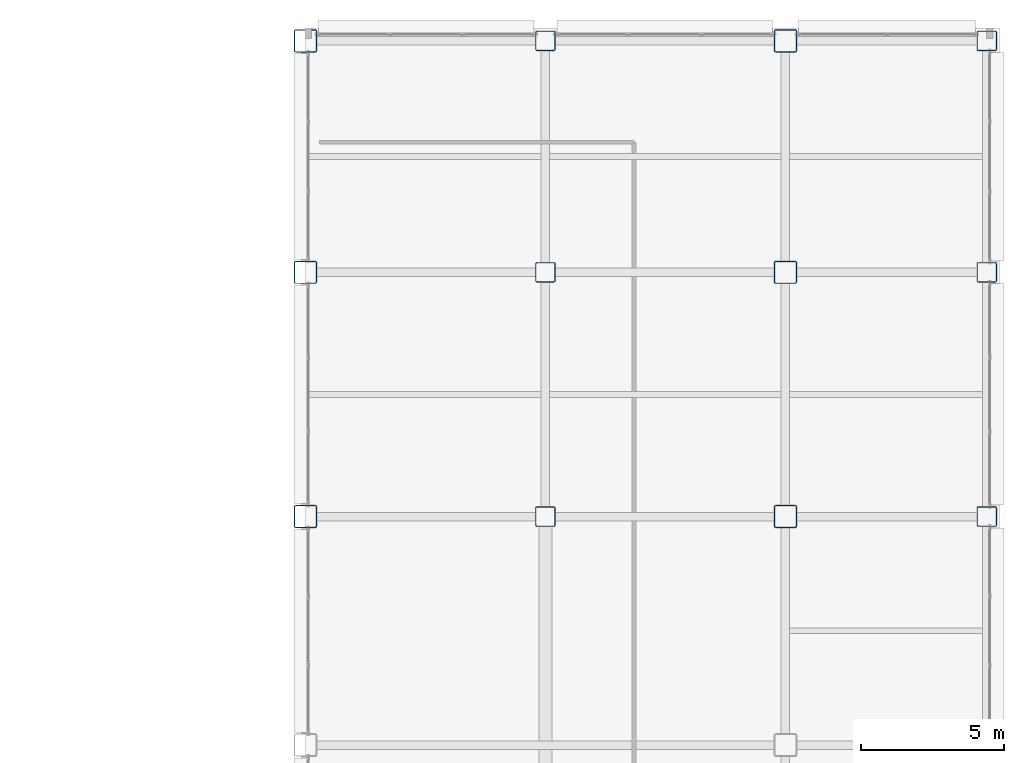
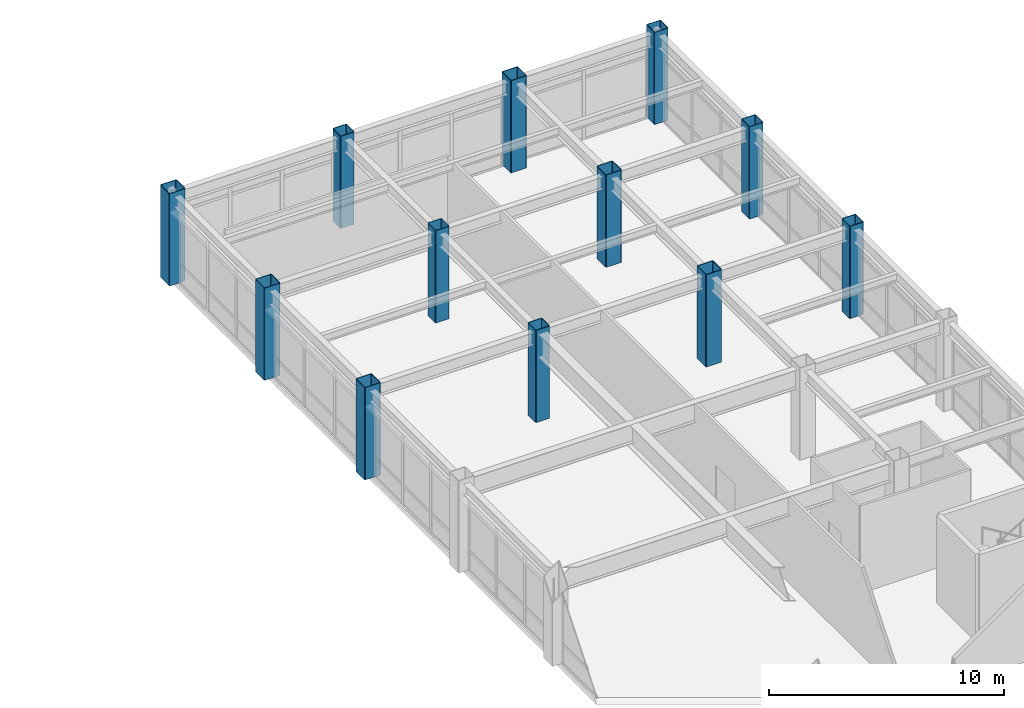
# One storey, part 13 of 154: 12 columns.
"""IFC4 building model written with IfcOpenShell, lengths in metres."""

from ifc_helpers import new_model, si_unit, direction, frame, origin, origin_2d, place, context, subcontext, project, spatial, hollow_rectangle, extrude, material, material_profile, profile_set, type_object, element, save


model = new_model("IFC4")

# Units and contexts
model_context = context("Model", 3, precision=1e-05, world=origin(), true_north=direction((0.0, 1.0)))
body_context = subcontext(model_context, "Body", "Model", "MODEL_VIEW")
ifc_project = project(units=[si_unit("LENGTHUNIT", "METRE"), si_unit("AREAUNIT", "SQUARE_METRE"), si_unit("VOLUMEUNIT", "CUBIC_METRE"), si_unit("PLANEANGLEUNIT", "RADIAN"), si_unit("MASSUNIT", "GRAM", prefix="KILO")], contexts=[model_context])

# Site, building, storey
site_placement = place(None, origin())
site = spatial("IfcSite", under=ifc_project, at=site_placement, CompositionType="ELEMENT")
building_placement = place(site_placement, origin())
building = spatial("IfcBuilding", under=site, at=building_placement, Name="Kazehara Bluff Congress Hotel", CompositionType="ELEMENT")
storey_placement = place(building_placement, frame((0.0, 0.0, 10.199951171875)))
storey = spatial("IfcBuildingStorey", under=building, at=storey_placement, Name="L02", CompositionType="ELEMENT", Elevation=10.199951171875)

# Columns
ifc_material_1 = material(Name="Steel BCR295", Category="steel")
ifc_material_profile_1 = material_profile(ifc_material_1, hollow_rectangle(XDim=0.800048828125, YDim=0.800048828125, WallThickness=0.031982421875, InnerFilletRadius=0.031982421875, OuterFilletRadius=0.06396484375, at=origin_2d()))
ifc_profile_set_1 = profile_set([ifc_material_profile_1], Name="Steel BCR295")
column_type_1 = type_object("IfcColumnType", Name="TP-C-02", PredefinedType="COLUMN", material=ifc_profile_set_1)
for number, where, z_axis, x_axis, name in (
    (1, (143.699951171875, 96.89990234375, 0.0), (0.0, 0.0, 1.0), (1.0, 0.0, 0.0), "L02 column C-02 (143.70,96.90)"),
    (2, (143.699951171875, 105.449951171875, 0.0), (0.0, 0.0, 1.0), (1.0, 0.0, 0.0), "L02 column C-02 (143.70,105.45)"),
    (3, (143.699951171875, 113.550048828125, 0.0), (0.0, 0.0, 1.0), (1.0, 0.0, 0.0), "L02 column C-02 (143.70,113.55)"),
    (4, (160.5, 96.89990234375, 0.0), (0.0, 0.0, 1.0), (1.0, 0.0, 0.0), "L02 column C-02 (160.50,96.90)"),
    (5, (160.5, 105.449951171875, 0.0), (0.0, 0.0, 1.0), (1.0, 0.0, 0.0), "L02 column C-02 (160.50,105.45)"),
    (6, (160.5, 113.550048828125, 0.0), (0.0, 0.0, 1.0), (1.0, 0.0, 0.0), "L02 column C-02 (160.50,113.55)"),
):
    element("IfcColumn", number, at=place(storey_placement, frame(where, z_axis=z_axis, x_axis=x_axis)), inside=storey, type_object=column_type_1, Name=name, PredefinedType="COLUMN", context=body_context, shape_type="SweptSolid", body=[
        extrude(hollow_rectangle(XDim=0.800048828125, YDim=0.800048828125, WallThickness=0.031982421875, InnerFilletRadius=0.031982421875, OuterFilletRadius=0.06396484375, at=origin_2d()), origin(), (0.0, 0.0, 1.0), 4.800048828125),
    ])
ifc_material_2 = material(Name="Steel BCR295", Category="steel")
ifc_material_profile_2 = material_profile(ifc_material_2, hollow_rectangle(XDim=0.699951171875, YDim=0.699951171875, WallThickness=0.028076171875, InnerFilletRadius=0.028076171875, OuterFilletRadius=0.055908203125, at=origin_2d()))
ifc_profile_set_2 = profile_set([ifc_material_profile_2], Name="Steel BCR295")
column_type_2 = type_object("IfcColumnType", Name="TP-C-03", PredefinedType="COLUMN", material=ifc_profile_set_2)
for number, where, z_axis, x_axis, name in (
    (7, (152.10009765625, 96.89990234375, 0.0), (0.0, 0.0, 1.0), (1.0, 0.0, 0.0), "L02 column C-03 (152.10,96.90)"),
    (8, (152.10009765625, 105.449951171875, 0.0), (0.0, 0.0, 1.0), (1.0, 0.0, 0.0), "L02 column C-03 (152.10,105.45)"),
    (9, (152.10009765625, 113.550048828125, 0.0), (0.0, 0.0, 1.0), (1.0, 0.0, 0.0), "L02 column C-03 (152.10,113.55)"),
    (10, (167.550048828125, 96.89990234375, 0.0), (0.0, 0.0, 1.0), (1.0, 0.0, 0.0), "L02 column C-03 (167.55,96.90)"),
    (11, (167.550048828125, 105.449951171875, 0.0), (0.0, 0.0, 1.0), (1.0, 0.0, 0.0), "L02 column C-03 (167.55,105.45)"),
    (12, (167.550048828125, 113.550048828125, 0.0), (0.0, 0.0, 1.0), (1.0, 0.0, 0.0), "L02 column C-03 (167.55,113.55)"),
):
    element("IfcColumn", number, at=place(storey_placement, frame(where, z_axis=z_axis, x_axis=x_axis)), inside=storey, type_object=column_type_2, Name=name, PredefinedType="COLUMN", context=body_context, shape_type="SweptSolid", body=[
        extrude(hollow_rectangle(XDim=0.699951171875, YDim=0.699951171875, WallThickness=0.028076171875, InnerFilletRadius=0.028076171875, OuterFilletRadius=0.055908203125, at=origin_2d()), origin(), (0.0, 0.0, 1.0), 4.800048828125),
    ])

save(model, "model.ifc")
